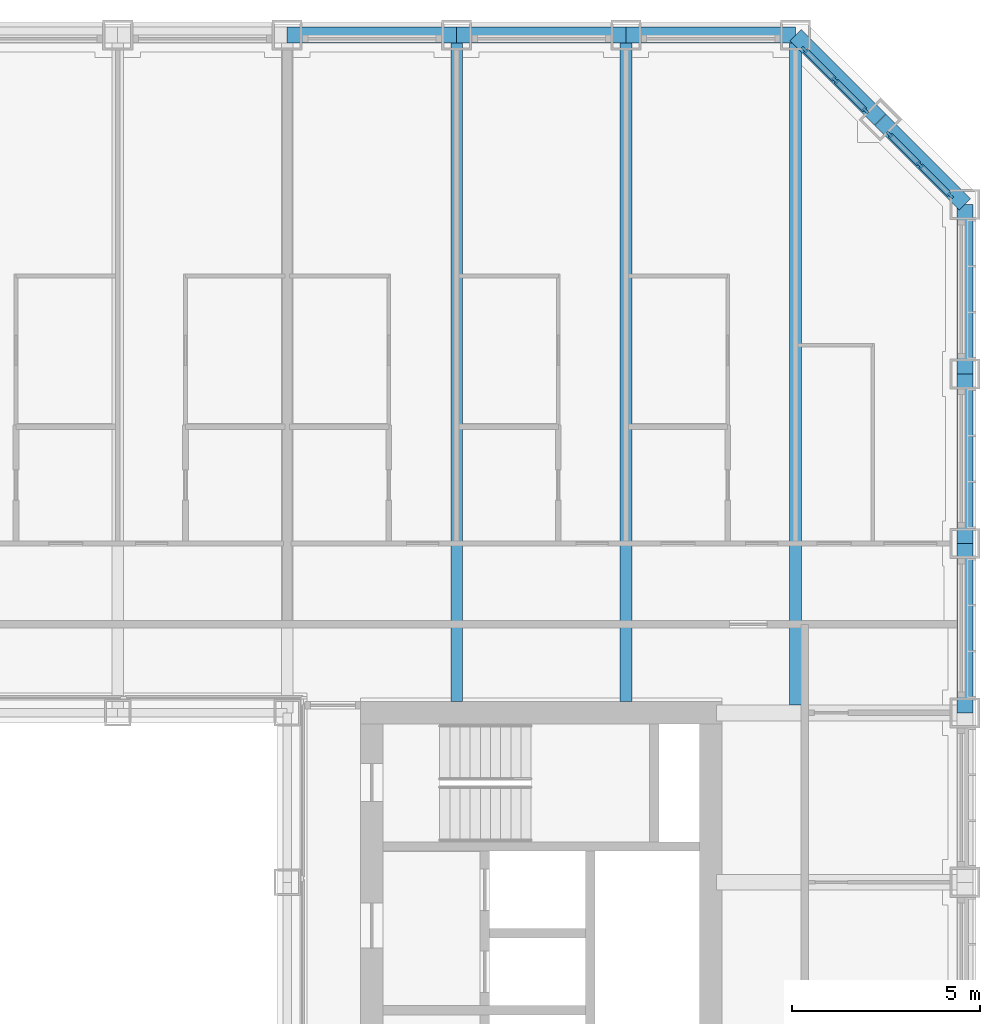
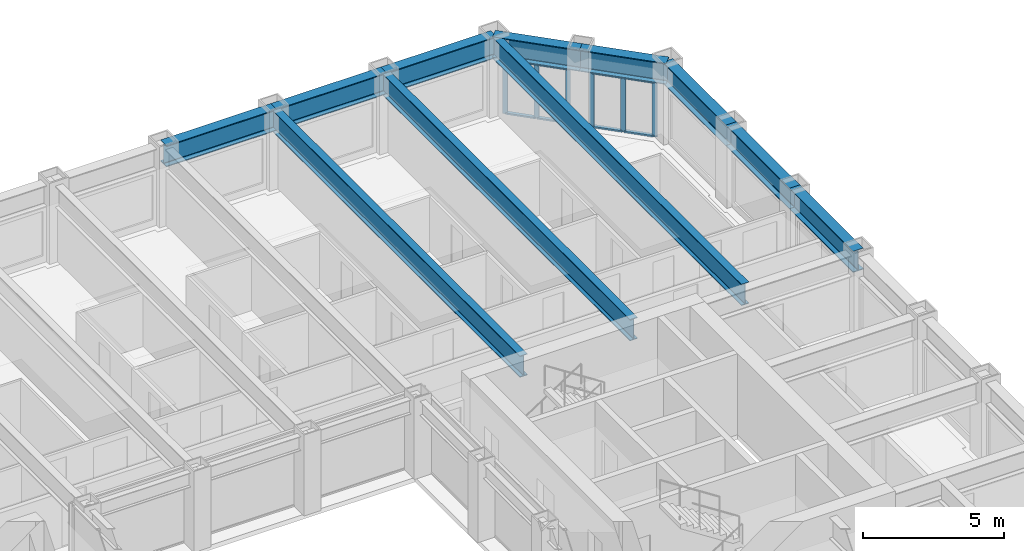
# One storey, part 7 of 21: 14 members, 11 beams, 2 elements without a shape of their own.
"""IFC4 building model written with IfcOpenShell, lengths in metres."""

from ifc_helpers import new_model, si_unit, direction, frame, origin, origin_2d, place, context, subcontext, project, spatial, rectangle, i_section, extrude, material, material_profile, profile_set, type_object, element, aggregate, save


model = new_model("IFC4")

# Units and contexts
model_context = context("Model", 3, precision=1e-05, world=origin(), true_north=direction((0.0, 1.0)))
body_context = subcontext(model_context, "Body", "Model", "MODEL_VIEW")
ifc_project = project(units=[si_unit("LENGTHUNIT", "METRE"), si_unit("AREAUNIT", "SQUARE_METRE"), si_unit("VOLUMEUNIT", "CUBIC_METRE"), si_unit("PLANEANGLEUNIT", "RADIAN"), si_unit("MASSUNIT", "GRAM", prefix="KILO")], contexts=[model_context])

# Site, building, storey
site_placement = place(None, origin())
site = spatial("IfcSite", under=ifc_project, at=site_placement, CompositionType="ELEMENT")
building_placement = place(site_placement, origin())
building = spatial("IfcBuilding", under=site, at=building_placement, Name="Msasa Ring Tower", CompositionType="ELEMENT")
storey_placement = place(building_placement, frame((0.0, 0.0, 75.5)))
storey = spatial("IfcBuildingStorey", under=building, at=storey_placement, Name="L19", CompositionType="ELEMENT", Elevation=75.5)

# Curtain wall, members
ifc_material_1 = material(Name="Aluminium curtain wall with clear glass", Category="aluminium")
curtain_wall_type = type_object("IfcCurtainWallType", Name="CW-C CHAMFER CORNER CURTAIN WALL", PredefinedType="NOTDEFINED", material=ifc_material_1)
curtain_wall_1_placement = place(storey_placement, origin())
curtain_wall_1 = element("IfcCurtainWall", 1, at=curtain_wall_1_placement, inside=storey, type_object=curtain_wall_type, Name="Chamfer corner curtain wall NE L19", PredefinedType="NOTDEFINED")
ifc_material_2 = material(Name="Aluminium mullion", Category="aluminium")
ifc_material_profile_1 = material_profile(ifc_material_2, rectangle(XDim=0.06494140625, YDim=0.179931640625, at=origin_2d()), Name="AL 65x180")
ifc_profile_set_1 = profile_set([ifc_material_profile_1], Name="Aluminium mullion")
member_type_1 = type_object("IfcMemberType", Name="CW-C MULLION 65x180", PredefinedType="MULLION", material=ifc_profile_set_1)
member_1_placement = place(storey_placement, frame((22.119873046875, 22.73876953125, 0.0), z_axis=(0.0, 0.0, 1.0), x_axis=(-0.707106781187, -0.707106781187, 0.0)))
member_1 = element("IfcMember", 2, at=member_1_placement, type_object=member_type_1, Name="CW-C mullion 1", PredefinedType="MULLION", context=body_context, shape_type="SweptSolid", body=[
    extrude(rectangle(XDim=0.06494140625, YDim=0.179931640625, at=origin_2d()), origin(), (0.0, 0.0, 1.0), 2.37890625),
])
member_2_placement = place(storey_placement, frame((21.30419921875, 23.55419921875, 0.0), z_axis=(0.0, 0.0, 1.0), x_axis=(-0.707106781187, -0.707106781187, 0.0)))
member_2 = element("IfcMember", 3, at=member_2_placement, type_object=member_type_1, Name="CW-C mullion 2", PredefinedType="MULLION", context=body_context, shape_type="SweptSolid", body=[
    extrude(rectangle(XDim=0.06494140625, YDim=0.179931640625, at=origin_2d()), origin(), (0.0, 0.0, 1.0), 2.37890625),
])
member_3_placement = place(storey_placement, frame((20.48876953125, 24.369873046875, 0.0), z_axis=(0.0, 0.0, 1.0), x_axis=(-0.707106781187, -0.707106781187, 0.0)))
member_3 = element("IfcMember", 4, at=member_3_placement, type_object=member_type_1, Name="CW-C mullion 3", PredefinedType="MULLION", context=body_context, shape_type="SweptSolid", body=[
    extrude(rectangle(XDim=0.06494140625, YDim=0.179931640625, at=origin_2d()), origin(), (0.0, 0.0, 1.0), 2.37890625),
])

curtain_wall_2_placement = place(storey_placement, origin())
curtain_wall_2 = element("IfcCurtainWall", 5, at=curtain_wall_2_placement, inside=storey, type_object=curtain_wall_type, Name="Chamfer corner curtain wall NE L19", PredefinedType="NOTDEFINED")
member_4_placement = place(storey_placement, frame((24.369873046875, 20.48876953125, 0.0), z_axis=(0.0, 0.0, 1.0), x_axis=(-0.707106781187, -0.707106781187, 0.0)))
member_4 = element("IfcMember", 6, at=member_4_placement, type_object=member_type_1, Name="CW-C mullion 1", PredefinedType="MULLION", context=body_context, shape_type="SweptSolid", body=[
    extrude(rectangle(XDim=0.06494140625, YDim=0.179931640625, at=origin_2d()), origin(), (0.0, 0.0, 1.0), 2.37890625),
])
member_5_placement = place(storey_placement, frame((23.55419921875, 21.30419921875, 0.0), z_axis=(0.0, 0.0, 1.0), x_axis=(-0.707106781187, -0.707106781187, 0.0)))
member_5 = element("IfcMember", 7, at=member_5_placement, type_object=member_type_1, Name="CW-C mullion 2", PredefinedType="MULLION", context=body_context, shape_type="SweptSolid", body=[
    extrude(rectangle(XDim=0.06494140625, YDim=0.179931640625, at=origin_2d()), origin(), (0.0, 0.0, 1.0), 2.37890625),
])
member_6_placement = place(storey_placement, frame((22.73876953125, 22.119873046875, 0.0), z_axis=(0.0, 0.0, 1.0), x_axis=(-0.707106781187, -0.707106781187, 0.0)))
member_6 = element("IfcMember", 8, at=member_6_placement, type_object=member_type_1, Name="CW-C mullion 3", PredefinedType="MULLION", context=body_context, shape_type="SweptSolid", body=[
    extrude(rectangle(XDim=0.06494140625, YDim=0.179931640625, at=origin_2d()), origin(), (0.0, 0.0, 1.0), 2.37890625),
])

# Member
ifc_material_3 = material(Name="Aluminium transom", Category="aluminium")
ifc_material_profile_2 = material_profile(ifc_material_3, rectangle(XDim=0.139892578125, YDim=0.06494140625, at=origin_2d()), Name="AL 65x140")
ifc_profile_set_2 = profile_set([ifc_material_profile_2], Name="Aluminium transom")
member_type_2 = type_object("IfcMemberType", Name="CW-C TRANSOM 65x140", PredefinedType="USERDEFINED", material=ifc_profile_set_2)
member_7_placement = place(storey_placement, frame((22.096923828125, 22.76171875, 0.032470703125), z_axis=(-0.707106781187, 0.707106781187, 0.0), x_axis=(-0.707106781187, -0.707106781187, 0.0)))
member_7 = element("IfcMember", 9, at=member_7_placement, type_object=member_type_2, Name="CW-C transom 1.1", ObjectType="TRANSOM", PredefinedType="USERDEFINED", context=body_context, shape_type="SweptSolid", body=[
    extrude(rectangle(XDim=0.139892578125, YDim=0.06494140625, at=origin_2d()), origin(), (0.0, 0.0, 1.0), 1.08837890625),
])

member_8_placement = place(storey_placement, frame((22.096923828125, 22.76171875, 2.346435546875), z_axis=(-0.707106781187, 0.707106781187, 0.0), x_axis=(-0.707106781187, -0.707106781187, 0.0)))
member_8 = element("IfcMember", 10, at=member_8_placement, type_object=member_type_2, Name="CW-C transom 1.2", ObjectType="TRANSOM", PredefinedType="USERDEFINED", context=body_context, shape_type="SweptSolid", body=[
    extrude(rectangle(XDim=0.139892578125, YDim=0.06494140625, at=origin_2d()), origin(), (0.0, 0.0, 1.0), 1.08837890625),
])

member_9_placement = place(storey_placement, frame((21.28125, 23.577392578125, 0.032470703125), z_axis=(-0.707106781187, 0.707106781187, 0.0), x_axis=(-0.707106781187, -0.707106781187, 0.0)))
member_9 = element("IfcMember", 11, at=member_9_placement, type_object=member_type_2, Name="CW-C transom 2.1", ObjectType="TRANSOM", PredefinedType="USERDEFINED", context=body_context, shape_type="SweptSolid", body=[
    extrude(rectangle(XDim=0.139892578125, YDim=0.06494140625, at=origin_2d()), origin(), (0.0, 0.0, 1.0), 1.08837890625),
])

member_10_placement = place(storey_placement, frame((21.28125, 23.577392578125, 2.346435546875), z_axis=(-0.707106781187, 0.707106781187, 0.0), x_axis=(-0.707106781187, -0.707106781187, 0.0)))
member_10 = element("IfcMember", 12, at=member_10_placement, type_object=member_type_2, Name="CW-C transom 2.2", ObjectType="TRANSOM", PredefinedType="USERDEFINED", context=body_context, shape_type="SweptSolid", body=[
    extrude(rectangle(XDim=0.139892578125, YDim=0.06494140625, at=origin_2d()), origin(), (0.0, 0.0, 1.0), 1.08837890625),
])

aggregate(curtain_wall_1, [member_1, member_2, member_3, member_7, member_8, member_9, member_10])

member_11_placement = place(storey_placement, frame((24.346923828125, 20.51171875, 0.032470703125), z_axis=(-0.707106781187, 0.707106781187, 0.0), x_axis=(-0.707106781187, -0.707106781187, 0.0)))
member_11 = element("IfcMember", 13, at=member_11_placement, type_object=member_type_2, Name="CW-C transom 1.1", ObjectType="TRANSOM", PredefinedType="USERDEFINED", context=body_context, shape_type="SweptSolid", body=[
    extrude(rectangle(XDim=0.139892578125, YDim=0.06494140625, at=origin_2d()), origin(), (0.0, 0.0, 1.0), 1.08837890625),
])

member_12_placement = place(storey_placement, frame((24.346923828125, 20.51171875, 2.346435546875), z_axis=(-0.707106781187, 0.707106781187, 0.0), x_axis=(-0.707106781187, -0.707106781187, 0.0)))
member_12 = element("IfcMember", 14, at=member_12_placement, type_object=member_type_2, Name="CW-C transom 1.2", ObjectType="TRANSOM", PredefinedType="USERDEFINED", context=body_context, shape_type="SweptSolid", body=[
    extrude(rectangle(XDim=0.139892578125, YDim=0.06494140625, at=origin_2d()), origin(), (0.0, 0.0, 1.0), 1.08837890625),
])

member_13_placement = place(storey_placement, frame((23.53125, 21.327392578125, 0.032470703125), z_axis=(-0.707106781187, 0.707106781187, 0.0), x_axis=(-0.707106781187, -0.707106781187, 0.0)))
member_13 = element("IfcMember", 15, at=member_13_placement, type_object=member_type_2, Name="CW-C transom 2.1", ObjectType="TRANSOM", PredefinedType="USERDEFINED", context=body_context, shape_type="SweptSolid", body=[
    extrude(rectangle(XDim=0.139892578125, YDim=0.06494140625, at=origin_2d()), origin(), (0.0, 0.0, 1.0), 1.08837890625),
])

member_14_placement = place(storey_placement, frame((23.53125, 21.327392578125, 2.346435546875), z_axis=(-0.707106781187, 0.707106781187, 0.0), x_axis=(-0.707106781187, -0.707106781187, 0.0)))
member_14 = element("IfcMember", 16, at=member_14_placement, type_object=member_type_2, Name="CW-C transom 2.2", ObjectType="TRANSOM", PredefinedType="USERDEFINED", context=body_context, shape_type="SweptSolid", body=[
    extrude(rectangle(XDim=0.139892578125, YDim=0.06494140625, at=origin_2d()), origin(), (0.0, 0.0, 1.0), 1.08837890625),
])

aggregate(curtain_wall_2, [member_4, member_5, member_6, member_11, member_12, member_13, member_14])

# Beams
ifc_material_4 = material(Name="Steel S355", Category="steel")
ifc_material_profile_3 = material_profile(ifc_material_4, i_section(OverallWidth=0.3076171875, OverallDepth=0.926513671875, WebThickness=0.01953125, FlangeThickness=0.031982421875, FilletRadius=0.01904296875, at=origin_2d()), Name="UB 914x305x289")
ifc_profile_set_3 = profile_set([ifc_material_profile_3], Name="Steel S355")
beam_type_1 = type_object("IfcBeamType", Name="FB3 UB 914x305x289", PredefinedType="BEAM", material=ifc_profile_set_3)
for number, where, z_axis, x_axis, name in (
    (17, (11.25, 24.75, 2.836669921875), (0.0, -1.0, 0.0), (1.0, 0.0, 0.0), "Floor beam N+11.25 under L20"),
    (18, (15.75, 24.75, 2.836669921875), (0.0, -1.0, 0.0), (1.0, 0.0, 0.0), "Floor beam N+15.75 under L20"),
):
    element("IfcBeam", number, at=place(storey_placement, frame(where, z_axis=z_axis, x_axis=x_axis)), inside=storey, type_object=beam_type_1, Name=name, PredefinedType="BEAM", context=body_context, shape_type="SweptSolid", body=[
        extrude(i_section(OverallWidth=0.3076171875, OverallDepth=0.926513671875, WebThickness=0.01953125, FlangeThickness=0.031982421875, FilletRadius=0.01904296875, at=origin_2d()), origin(), (0.0, 0.0, 1.0), 17.699951171875),
    ])
beam_placement = place(storey_placement, frame((20.25, 24.75, 2.836669921875), z_axis=(0.0, -1.0, 0.0), x_axis=(1.0, 0.0, 0.0)))
element("IfcBeam", 19, at=beam_placement, inside=storey, type_object=beam_type_1, Name="Floor beam N+20.25 under L20", PredefinedType="BEAM", context=body_context, shape_type="SweptSolid", body=[
    extrude(i_section(OverallWidth=0.3076171875, OverallDepth=0.926513671875, WebThickness=0.01953125, FlangeThickness=0.031982421875, FilletRadius=0.01904296875, at=origin_2d()), origin(), (0.0, 0.0, 1.0), 17.789794921875),
])
ifc_material_5 = material(Name="Steel S355", Category="steel")
ifc_material_profile_4 = material_profile(ifc_material_5, i_section(OverallWidth=0.42041015625, OverallDepth=0.9208984375, WebThickness=0.021484375, FlangeThickness=0.03662109375, FilletRadius=0.024169921875, at=origin_2d()), Name="UB 914x419x388")
ifc_profile_set_4 = profile_set([ifc_material_profile_4], Name="Steel S355")
beam_type_2 = type_object("IfcBeamType", Name="SB1 UB 914x419x388", PredefinedType="SPANDREL", material=ifc_profile_set_4)
for number, where, z_axis, x_axis, name in (
    (20, (24.75, 6.75, 2.839599609375), (0.0, 1.0, 0.0), (-1.0, 0.0, 0.0), "Spandrel E+6.75 to E+11.25 under L20"),
    (21, (24.75, 11.25, 2.839599609375), (0.0, 1.0, 0.0), (-1.0, 0.0, 0.0), "Spandrel E+11.25 to E+15.75 under L20"),
    (22, (24.75, 15.75, 2.839599609375), (0.0, 1.0, 0.0), (-1.0, 0.0, 0.0), "Spandrel E+15.75 to E+20.25 under L20"),
):
    element("IfcBeam", number, at=place(storey_placement, frame(where, z_axis=z_axis, x_axis=x_axis)), inside=storey, type_object=beam_type_2, Name=name, PredefinedType="SPANDREL", context=body_context, shape_type="SweptSolid", body=[
        extrude(i_section(OverallWidth=0.42041015625, OverallDepth=0.9208984375, WebThickness=0.021484375, FlangeThickness=0.03662109375, FilletRadius=0.024169921875, at=origin_2d()), origin(), (0.0, 0.0, 1.0), 4.5),
    ])
for number, where, z_axis, x_axis, name in (
    (23, (24.75, 20.25, 2.839599609375), (-0.707106781187, 0.707106781187, 0.0), (-0.707106781187, -0.707106781187, 0.0), "Spandrel E+20.25 to NE under L20"),
    (24, (22.5, 22.5, 2.839599609375), (-0.707106781187, 0.707106781187, 0.0), (-0.707106781187, -0.707106781187, 0.0), "Spandrel NE to N+20.25 under L20"),
):
    element("IfcBeam", number, at=place(storey_placement, frame(where, z_axis=z_axis, x_axis=x_axis)), inside=storey, type_object=beam_type_2, Name=name, PredefinedType="SPANDREL", context=body_context, shape_type="SweptSolid", body=[
        extrude(i_section(OverallWidth=0.42041015625, OverallDepth=0.9208984375, WebThickness=0.021484375, FlangeThickness=0.03662109375, FilletRadius=0.024169921875, at=origin_2d()), origin(), (0.0, 0.0, 1.0), 3.181884765625),
    ])
for number, where, z_axis, x_axis, name in (
    (25, (20.25, 24.75, 2.839599609375), (-1.0, 0.0, 0.0), (0.0, -1.0, 0.0), "Spandrel N+20.25 to N+15.75 under L20"),
    (26, (15.75, 24.75, 2.839599609375), (-1.0, 0.0, 0.0), (0.0, -1.0, 0.0), "Spandrel N+15.75 to N+11.25 under L20"),
    (27, (11.25, 24.75, 2.839599609375), (-1.0, 0.0, 0.0), (0.0, -1.0, 0.0), "Spandrel N+11.25 to N+6.75 under L20"),
):
    element("IfcBeam", number, at=place(storey_placement, frame(where, z_axis=z_axis, x_axis=x_axis)), inside=storey, type_object=beam_type_2, Name=name, PredefinedType="SPANDREL", context=body_context, shape_type="SweptSolid", body=[
        extrude(i_section(OverallWidth=0.42041015625, OverallDepth=0.9208984375, WebThickness=0.021484375, FlangeThickness=0.03662109375, FilletRadius=0.024169921875, at=origin_2d()), origin(), (0.0, 0.0, 1.0), 4.5),
    ])

save(model, "model.ifc")
